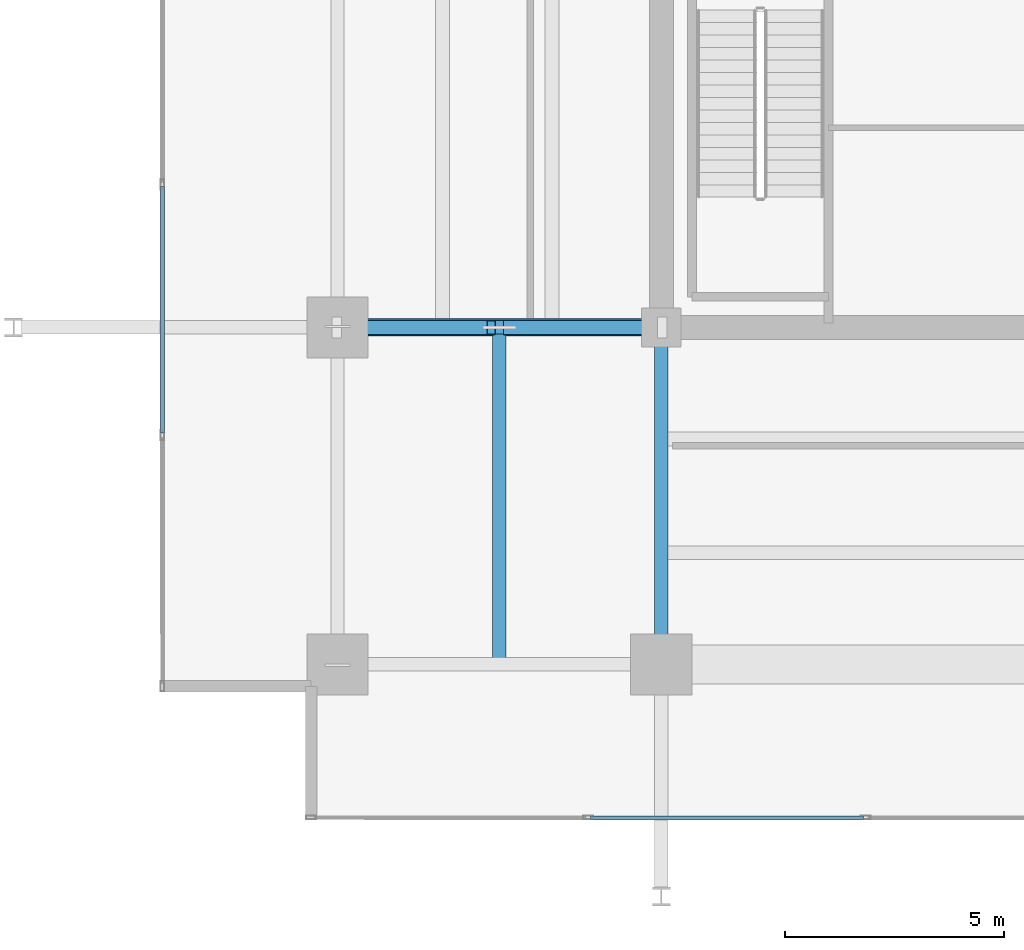
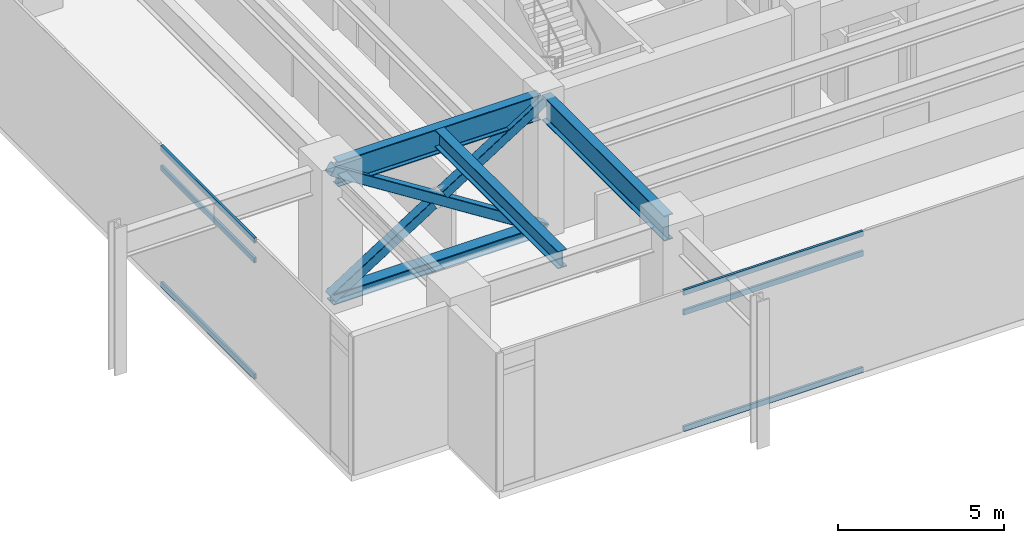
# One storey, part 3 of 21: 10 members, 3 beams, 2 elements without a shape of their own.
"""IFC4 building model written with IfcOpenShell, lengths in metres."""

from ifc_helpers import new_model, si_unit, direction, frame, origin, origin_2d, place, context, subcontext, project, spatial, hollow_rectangle, i_section, extrude, material, material_profile, profile_set, type_object, element, aggregate, save


model = new_model("IFC4")

# Units and contexts
model_context = context("Model", 3, precision=1e-05, world=origin(), true_north=direction((0.0, 1.0)))
body_context = subcontext(model_context, "Body", "Model", "MODEL_VIEW")
ifc_project = project(units=[si_unit("LENGTHUNIT", "METRE"), si_unit("AREAUNIT", "SQUARE_METRE"), si_unit("VOLUMEUNIT", "CUBIC_METRE"), si_unit("PLANEANGLEUNIT", "RADIAN"), si_unit("MASSUNIT", "GRAM", prefix="KILO")], contexts=[model_context])

# Site, building, storey
site_placement = place(None, origin())
site = spatial("IfcSite", under=ifc_project, at=site_placement, CompositionType="ELEMENT")
building_placement = place(site_placement, origin())
building = spatial("IfcBuilding", under=site, at=building_placement, Name="Kovane Verandah Tower", CompositionType="ELEMENT")
storey_placement = place(building_placement, frame((0.0, 0.0, 189.39990234375)))
storey = spatial("IfcBuildingStorey", under=building, at=storey_placement, Name="L44", CompositionType="ELEMENT", Elevation=189.39990234375)

# Beams
ifc_material_1 = material(Name="Steel S460", Category="steel")
ifc_material_profile_1 = material_profile(ifc_material_1, i_section(OverallWidth=0.311279296875, OverallDepth=0.6357421875, WebThickness=0.018310546875, FlangeThickness=0.031494140625, FilletRadius=0.0166015625, at=origin_2d()), Name="UB610x305x238")
ifc_profile_set_1 = profile_set([ifc_material_profile_1], Name="Steel S460")
beam_type_1 = type_object("IfcBeamType", Name="BM-UB610x238", PredefinedType="BEAM", material=ifc_profile_set_1)
beam_1_placement = place(storey_placement, frame((25.300048828125, 10.951904296875, 4.7822265625), z_axis=(0.0, 1.0, 0.0), x_axis=(-1.0, 0.0, 0.0)))
element("IfcBeam", 1, at=beam_1_placement, inside=storey, type_object=beam_type_1, Name="L44 Secondary Composite Joist J-SW1", PredefinedType="BEAM", context=body_context, shape_type="SweptSolid", body=[
    extrude(i_section(OverallWidth=0.311279296875, OverallDepth=0.6357421875, WebThickness=0.018310546875, FlangeThickness=0.031494140625, FilletRadius=0.0166015625, at=origin_2d()), origin(), (0.0, 0.0, 1.0), 7.396240234375),
])
ifc_material_profile_2 = material_profile(ifc_material_1, i_section(OverallWidth=0.3076171875, OverallDepth=0.926513671875, WebThickness=0.01953125, FlangeThickness=0.031982421875, FilletRadius=0.01904296875, at=origin_2d()), Name="UB914x305x289")
ifc_profile_set_2 = profile_set([ifc_material_profile_2], Name="Steel S460")
beam_type_2 = type_object("IfcBeamType", Name="BM-UB914x289", PredefinedType="BEAM", material=ifc_profile_set_2)
beam_2_placement = place(storey_placement, frame((28.820068359375, 18.5, 4.63671875), z_axis=(-1.0, 0.0, 0.0), x_axis=(0.0, -1.0, 0.0)))
element("IfcBeam", 2, at=beam_2_placement, inside=storey, type_object=beam_type_2, Name="L44 Primary Tower Girder G-W1", PredefinedType="BEAM", context=body_context, shape_type="SweptSolid", body=[
    extrude(i_section(OverallWidth=0.3076171875, OverallDepth=0.926513671875, WebThickness=0.01953125, FlangeThickness=0.031982421875, FilletRadius=0.01904296875, at=origin_2d()), origin(), (0.0, 0.0, 1.0), 7.0400390625),
])
beam_3_placement = place(storey_placement, frame((29.0, 18.320068359375, 4.63671875), z_axis=(0.0, -1.0, 0.0), x_axis=(1.0, 0.0, 0.0)))
element("IfcBeam", 3, at=beam_3_placement, inside=storey, type_object=beam_type_2, Name="L44 Primary Tower Girder G-S1", PredefinedType="BEAM", context=body_context, shape_type="SweptSolid", body=[
    extrude(i_section(OverallWidth=0.3076171875, OverallDepth=0.926513671875, WebThickness=0.01953125, FlangeThickness=0.031982421875, FilletRadius=0.01904296875, at=origin_2d()), origin(), (0.0, 0.0, 1.0), 7.340087890625),
])

# Curtain wall, members
ifc_material_2 = material(Name="Champagne Anodised Aluminium Frame with Low-E Clear Laminated Glass", Category="aluminium")
curtain_wall_type = type_object("IfcCurtainWallType", Name="CW-SYS-04-WAIST", PredefinedType="NOTDEFINED", material=ifc_material_2)
curtain_wall_1_placement = place(storey_placement, origin())
curtain_wall_1 = element("IfcCurtainWall", 4, at=curtain_wall_1_placement, inside=storey, type_object=curtain_wall_type, Name="L44 S Unitised Curtain Wall", PredefinedType="NOTDEFINED")
ifc_material_3 = material(Name="Champagne Anodised Aluminium 6063-T6", Category="aluminium")
ifc_material_profile_3 = material_profile(ifc_material_3, hollow_rectangle(XDim=0.0849609375, YDim=0.18994140625, WallThickness=0.00390625, at=origin_2d()), Name="AL85x190x4")
ifc_profile_set_3 = profile_set([ifc_material_profile_3], Name="Champagne Anodised Aluminium 6063-T6")
member_type_1 = type_object("IfcMemberType", Name="CW-TRN-85x190", PredefinedType="USERDEFINED", material=ifc_profile_set_3)
member_1_placement = place(storey_placement, frame((27.38330078125, 7.300048828125, 0.050048828125), z_axis=(1.0, 0.0, 0.0), x_axis=(0.0, 1.0, 0.0)))
member_1 = element("IfcMember", 5, at=member_1_placement, type_object=member_type_1, Name="L44 S Unitised Curtain Wall Transom TB Bay 2", ObjectType="TRANSOM", PredefinedType="USERDEFINED", context=body_context, shape_type="SweptSolid", body=[
    extrude(hollow_rectangle(XDim=0.0849609375, YDim=0.18994140625, WallThickness=0.00390625, at=origin_2d()), origin(), (0.0, 0.0, 1.0), 6.2333984375),
])
member_2_placement = place(storey_placement, frame((27.38330078125, 7.300048828125, 4.320068359375), z_axis=(1.0, 0.0, 0.0), x_axis=(0.0, 1.0, 0.0)))
member_2 = element("IfcMember", 6, at=member_2_placement, type_object=member_type_1, Name="L44 S Unitised Curtain Wall Transom TM Bay 2", ObjectType="TRANSOM", PredefinedType="USERDEFINED", context=body_context, shape_type="SweptSolid", body=[
    extrude(hollow_rectangle(XDim=0.0849609375, YDim=0.18994140625, WallThickness=0.00390625, at=origin_2d()), origin(), (0.0, 0.0, 1.0), 6.2333984375),
])
member_3_placement = place(storey_placement, frame((27.38330078125, 7.300048828125, 5.050048828125), z_axis=(1.0, 0.0, 0.0), x_axis=(0.0, 1.0, 0.0)))
member_3 = element("IfcMember", 7, at=member_3_placement, type_object=member_type_1, Name="L44 S Unitised Curtain Wall Transom TT Bay 2", ObjectType="TRANSOM", PredefinedType="USERDEFINED", context=body_context, shape_type="SweptSolid", body=[
    extrude(hollow_rectangle(XDim=0.0849609375, YDim=0.18994140625, WallThickness=0.00390625, at=origin_2d()), origin(), (0.0, 0.0, 1.0), 6.2333984375),
])
aggregate(curtain_wall_1, [member_1, member_2, member_3])

curtain_wall_2_placement = place(storey_placement, origin())
curtain_wall_2 = element("IfcCurtainWall", 8, at=curtain_wall_2_placement, inside=storey, type_object=curtain_wall_type, Name="L44 W Unitised Curtain Wall", PredefinedType="NOTDEFINED")
member_4_placement = place(storey_placement, frame((17.60009765625, 21.716796875, 0.050048828125), z_axis=(0.0, -1.0, 0.0), x_axis=(1.0, 0.0, 0.0)))
member_4 = element("IfcMember", 9, at=member_4_placement, type_object=member_type_1, Name="L44 W Unitised Curtain Wall Transom TB Bay 5", ObjectType="TRANSOM", PredefinedType="USERDEFINED", context=body_context, shape_type="SweptSolid", body=[
    extrude(hollow_rectangle(XDim=0.0849609375, YDim=0.18994140625, WallThickness=0.00390625, at=origin_2d()), origin(), (0.0, 0.0, 1.0), 5.633544921875),
])
member_5_placement = place(storey_placement, frame((17.60009765625, 21.716796875, 4.320068359375), z_axis=(0.0, -1.0, 0.0), x_axis=(1.0, 0.0, 0.0)))
member_5 = element("IfcMember", 10, at=member_5_placement, type_object=member_type_1, Name="L44 W Unitised Curtain Wall Transom TM Bay 5", ObjectType="TRANSOM", PredefinedType="USERDEFINED", context=body_context, shape_type="SweptSolid", body=[
    extrude(hollow_rectangle(XDim=0.0849609375, YDim=0.18994140625, WallThickness=0.00390625, at=origin_2d()), origin(), (0.0, 0.0, 1.0), 5.633544921875),
])
member_6_placement = place(storey_placement, frame((17.60009765625, 21.716796875, 5.050048828125), z_axis=(0.0, -1.0, 0.0), x_axis=(1.0, 0.0, 0.0)))
member_6 = element("IfcMember", 11, at=member_6_placement, type_object=member_type_1, Name="L44 W Unitised Curtain Wall Transom TT Bay 5", ObjectType="TRANSOM", PredefinedType="USERDEFINED", context=body_context, shape_type="SweptSolid", body=[
    extrude(hollow_rectangle(XDim=0.0849609375, YDim=0.18994140625, WallThickness=0.00390625, at=origin_2d()), origin(), (0.0, 0.0, 1.0), 5.633544921875),
])
aggregate(curtain_wall_2, [member_4, member_5, member_6])

# Members
ifc_material_profile_4 = material_profile(ifc_material_1, hollow_rectangle(XDim=0.35009765625, YDim=0.35009765625, WallThickness=0.01611328125, InnerFilletRadius=0.01611328125, OuterFilletRadius=0.031982421875, at=origin_2d()), Name="SHS350x350x16")
ifc_profile_set_4 = profile_set([ifc_material_profile_4], Name="Steel S460")
member_type_2 = type_object("IfcMemberType", Name="MEM-BR-SHS350", PredefinedType="BRACE", material=ifc_profile_set_4)
member_7_placement = place(storey_placement, frame((29.0, 18.5, 0.1201171875), z_axis=(-0.844130190712, 0.0, 0.536138248149), x_axis=(0.0, -1.0, 0.0)))
element("IfcMember", 12, at=member_7_placement, inside=storey, type_object=member_type_2, Name="L44 Outrigger Continuous Diagonal OW1", PredefinedType="BRACE", context=body_context, shape_type="SweptSolid", body=[
    extrude(hollow_rectangle(XDim=0.35009765625, YDim=0.35009765625, WallThickness=0.01611328125, InnerFilletRadius=0.01611328125, OuterFilletRadius=0.031982421875, at=origin_2d()), origin(), (0.0, 0.0, 1.0), 8.766357421875),
])
member_8_placement = place(storey_placement, frame((21.60009765625, 18.5, 0.1201171875), z_axis=(0.844134458602, 0.0, 0.536131528452), x_axis=(0.0, 1.0, 0.0)))
element("IfcMember", 13, at=member_8_placement, inside=storey, type_object=member_type_2, Name="L44 Outrigger Split Diagonal Lower OW1", PredefinedType="BRACE", context=body_context, shape_type="SweptSolid", body=[
    extrude(hollow_rectangle(XDim=0.35009765625, YDim=0.35009765625, WallThickness=0.01611328125, InnerFilletRadius=0.01611328125, OuterFilletRadius=0.031982421875, at=origin_2d()), origin(), (0.0, 0.0, 1.0), 4.1630859375),
])
member_9_placement = place(storey_placement, frame((25.485595703125, 18.5, 2.588134765625), z_axis=(0.844151314061, 0.0, 0.536104988756), x_axis=(0.0, 1.0, 0.0)))
element("IfcMember", 14, at=member_9_placement, inside=storey, type_object=member_type_2, Name="L44 Outrigger Split Diagonal Upper OW1", PredefinedType="BRACE", context=body_context, shape_type="SweptSolid", body=[
    extrude(hollow_rectangle(XDim=0.35009765625, YDim=0.35009765625, WallThickness=0.01611328125, InnerFilletRadius=0.01611328125, OuterFilletRadius=0.031982421875, at=origin_2d()), origin(), (0.0, 0.0, 1.0), 4.163330078125),
])
ifc_material_profile_5 = material_profile(ifc_material_1, i_section(OverallWidth=0.39892578125, OverallDepth=0.3935546875, WebThickness=0.022705078125, FlangeThickness=0.03662109375, FilletRadius=0.01513671875, at=origin_2d()), Name="UC356x406x287")
ifc_profile_set_5 = profile_set([ifc_material_profile_5], Name="Steel S460")
member_type_3 = type_object("IfcMemberType", Name="MEM-CHORD-UC287", PredefinedType="CHORD", material=ifc_profile_set_5)
member_10_placement = place(storey_placement, frame((29.0, 18.5, 0.1201171875), z_axis=(-1.0, 0.0, 0.0), x_axis=(0.0, -1.0, 0.0)))
element("IfcMember", 15, at=member_10_placement, inside=storey, type_object=member_type_3, Name="L44 Outrigger Bottom Chord OW1", PredefinedType="CHORD", context=body_context, shape_type="SweptSolid", body=[
    extrude(i_section(OverallWidth=0.39892578125, OverallDepth=0.3935546875, WebThickness=0.022705078125, FlangeThickness=0.03662109375, FilletRadius=0.01513671875, at=origin_2d()), origin(), (0.0, 0.0, 1.0), 7.39990234375),
])

save(model, "model.ifc")
